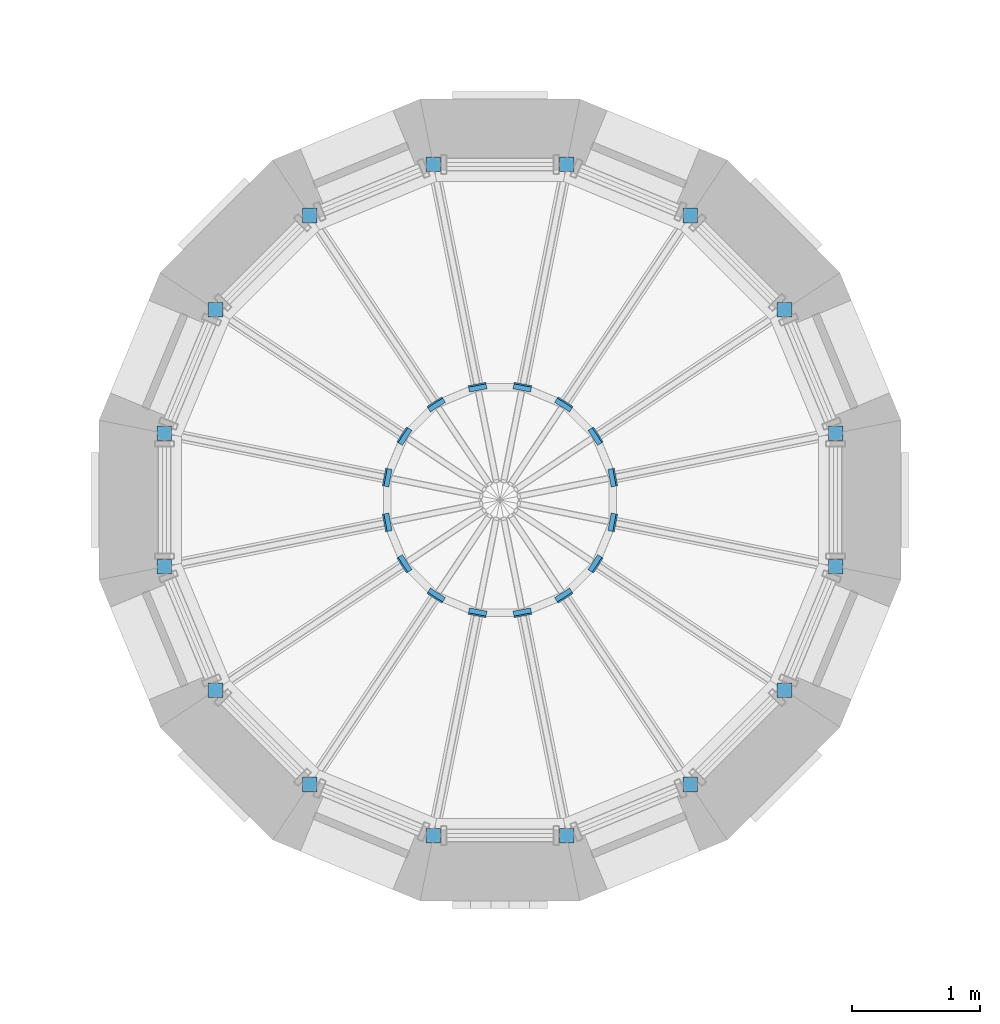
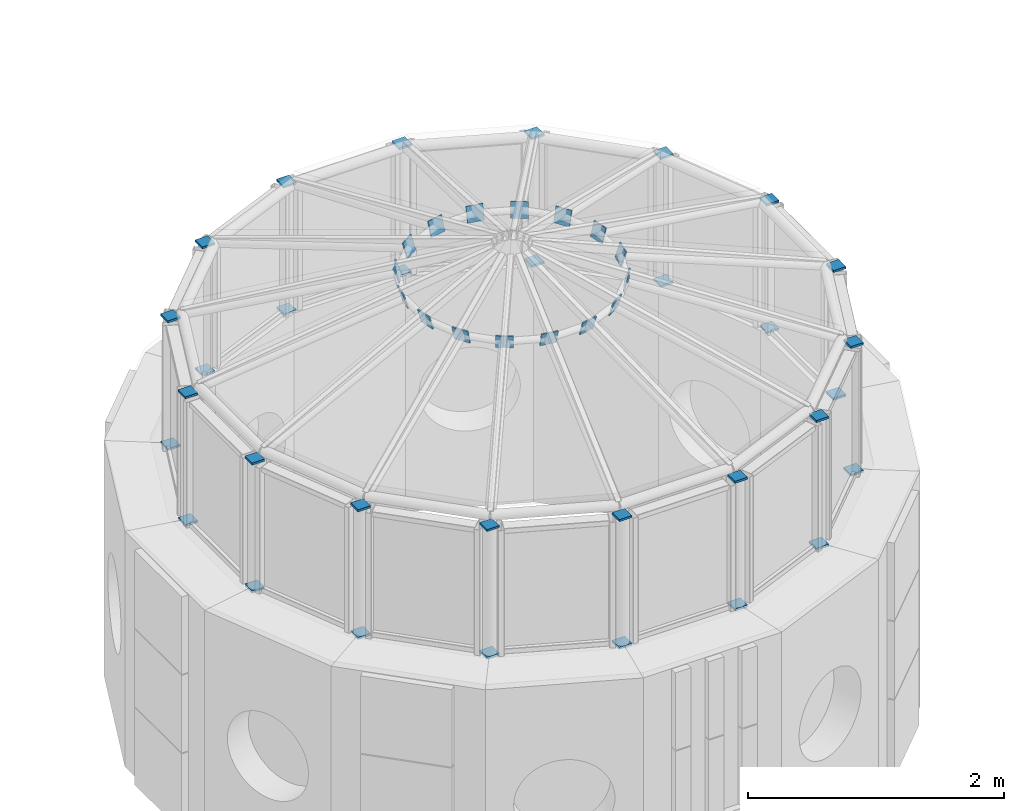
# One storey, part 33 of 42: 48 discrete accessories.
"""IFC4 building model written with IfcOpenShell, lengths in metres."""

from ifc_helpers import new_model, si_unit, direction, frame, origin, origin_2d, place, context, subcontext, project, spatial, rectangle, extrude, material, material_profile, profile_set, type_object, element, save


model = new_model("IFC4")

# Units and contexts
model_context = context("Model", 3, precision=1e-05, world=origin(), true_north=direction((0.0, 1.0)))
body_context = subcontext(model_context, "Body", "Model", "MODEL_VIEW")
ifc_project = project(units=[si_unit("LENGTHUNIT", "METRE"), si_unit("AREAUNIT", "SQUARE_METRE"), si_unit("VOLUMEUNIT", "CUBIC_METRE"), si_unit("PLANEANGLEUNIT", "RADIAN"), si_unit("MASSUNIT", "GRAM", prefix="KILO")], contexts=[model_context])

# Site, building, storey
site_placement = place(None, origin())
site = spatial("IfcSite", under=ifc_project, at=site_placement, CompositionType="ELEMENT")
building_placement = place(site_placement, origin())
building = spatial("IfcBuilding", under=site, at=building_placement, Name="Sun Court Science Centre", CompositionType="ELEMENT")
storey_placement = place(building_placement, frame((0.0, 0.0, 20.25)))
storey = spatial("IfcBuildingStorey", under=building, at=storey_placement, Name="L04", CompositionType="ELEMENT", Elevation=20.25)

# Discrete accessories
ifc_material_1 = material(Name="Steel S355", Category="steel")
discrete_accessory_type_1 = type_object("IfcDiscreteAccessoryType", Name="Hollow section end plate 20", PredefinedType="BRACKET", material=ifc_material_1)
for number, where, z_axis, x_axis, name in (
    (1, (56.626708984375, 12.0224609375, 1.929931640625), (0.0, 0.0, 1.0), (1.0, 0.0, 0.0), "Cone 5 clerestory post 1 end plate"),
    (2, (56.626708984375, 12.0224609375, 3.14990234375), (0.0, 0.0, 1.0), (1.0, 0.0, 0.0), "Cone 5 clerestory post 1 end plate"),
    (3, (56.226806640625, 12.988037109375, 1.929931640625), (0.0, 0.0, 1.0), (1.0, 0.0, 0.0), "Cone 5 clerestory post 2 end plate"),
    (4, (56.226806640625, 12.988037109375, 3.14990234375), (0.0, 0.0, 1.0), (1.0, 0.0, 0.0), "Cone 5 clerestory post 2 end plate"),
    (5, (55.488037109375, 13.726806640625, 1.929931640625), (0.0, 0.0, 1.0), (1.0, 0.0, 0.0), "Cone 5 clerestory post 3 end plate"),
    (6, (55.488037109375, 13.726806640625, 3.14990234375), (0.0, 0.0, 1.0), (1.0, 0.0, 0.0), "Cone 5 clerestory post 3 end plate"),
    (7, (54.5224609375, 14.126708984375, 1.929931640625), (0.0, 0.0, 1.0), (1.0, 0.0, 0.0), "Cone 5 clerestory post 4 end plate"),
    (8, (54.5224609375, 14.126708984375, 3.14990234375), (0.0, 0.0, 1.0), (1.0, 0.0, 0.0), "Cone 5 clerestory post 4 end plate"),
    (9, (53.4775390625, 14.126708984375, 1.929931640625), (0.0, 0.0, 1.0), (1.0, 0.0, 0.0), "Cone 5 clerestory post 5 end plate"),
    (10, (53.4775390625, 14.126708984375, 3.14990234375), (0.0, 0.0, 1.0), (1.0, 0.0, 0.0), "Cone 5 clerestory post 5 end plate"),
    (11, (52.511962890625, 13.726806640625, 1.929931640625), (0.0, 0.0, 1.0), (1.0, 0.0, 0.0), "Cone 5 clerestory post 6 end plate"),
    (12, (52.511962890625, 13.726806640625, 3.14990234375), (0.0, 0.0, 1.0), (1.0, 0.0, 0.0), "Cone 5 clerestory post 6 end plate"),
    (13, (51.773193359375, 12.988037109375, 1.929931640625), (0.0, 0.0, 1.0), (1.0, 0.0, 0.0), "Cone 5 clerestory post 7 end plate"),
    (14, (51.773193359375, 12.988037109375, 3.14990234375), (0.0, 0.0, 1.0), (1.0, 0.0, 0.0), "Cone 5 clerestory post 7 end plate"),
    (15, (51.373291015625, 12.0224609375, 1.929931640625), (0.0, 0.0, 1.0), (1.0, 0.0, 0.0), "Cone 5 clerestory post 8 end plate"),
    (16, (51.373291015625, 12.0224609375, 3.14990234375), (0.0, 0.0, 1.0), (1.0, 0.0, 0.0), "Cone 5 clerestory post 8 end plate"),
    (17, (51.373291015625, 10.9775390625, 1.929931640625), (0.0, 0.0, 1.0), (1.0, 0.0, 0.0), "Cone 5 clerestory post 9 end plate"),
    (18, (51.373291015625, 10.9775390625, 3.14990234375), (0.0, 0.0, 1.0), (1.0, 0.0, 0.0), "Cone 5 clerestory post 9 end plate"),
    (19, (51.773193359375, 10.011962890625, 1.929931640625), (0.0, 0.0, 1.0), (1.0, 0.0, 0.0), "Cone 5 clerestory post 10 end plate"),
    (20, (51.773193359375, 10.011962890625, 3.14990234375), (0.0, 0.0, 1.0), (1.0, 0.0, 0.0), "Cone 5 clerestory post 10 end plate"),
    (21, (52.511962890625, 9.273193359375, 1.929931640625), (0.0, 0.0, 1.0), (1.0, 0.0, 0.0), "Cone 5 clerestory post 11 end plate"),
    (22, (52.511962890625, 9.273193359375, 3.14990234375), (0.0, 0.0, 1.0), (1.0, 0.0, 0.0), "Cone 5 clerestory post 11 end plate"),
    (23, (53.4775390625, 8.873291015625, 1.929931640625), (0.0, 0.0, 1.0), (1.0, 0.0, 0.0), "Cone 5 clerestory post 12 end plate"),
    (24, (53.4775390625, 8.873291015625, 3.14990234375), (0.0, 0.0, 1.0), (1.0, 0.0, 0.0), "Cone 5 clerestory post 12 end plate"),
    (25, (54.5224609375, 8.873291015625, 1.929931640625), (0.0, 0.0, 1.0), (1.0, 0.0, 0.0), "Cone 5 clerestory post 13 end plate"),
    (26, (54.5224609375, 8.873291015625, 3.14990234375), (0.0, 0.0, 1.0), (1.0, 0.0, 0.0), "Cone 5 clerestory post 13 end plate"),
    (27, (55.488037109375, 9.273193359375, 1.929931640625), (0.0, 0.0, 1.0), (1.0, 0.0, 0.0), "Cone 5 clerestory post 14 end plate"),
    (28, (55.488037109375, 9.273193359375, 3.14990234375), (0.0, 0.0, 1.0), (1.0, 0.0, 0.0), "Cone 5 clerestory post 14 end plate"),
    (29, (56.226806640625, 10.011962890625, 1.929931640625), (0.0, 0.0, 1.0), (1.0, 0.0, 0.0), "Cone 5 clerestory post 15 end plate"),
    (30, (56.226806640625, 10.011962890625, 3.14990234375), (0.0, 0.0, 1.0), (1.0, 0.0, 0.0), "Cone 5 clerestory post 15 end plate"),
    (31, (56.626708984375, 10.9775390625, 1.929931640625), (0.0, 0.0, 1.0), (1.0, 0.0, 0.0), "Cone 5 clerestory post 16 end plate"),
    (32, (56.626708984375, 10.9775390625, 3.14990234375), (0.0, 0.0, 1.0), (1.0, 0.0, 0.0), "Cone 5 clerestory post 16 end plate"),
):
    element("IfcDiscreteAccessory", number, at=place(storey_placement, frame(where, z_axis=z_axis, x_axis=x_axis)), inside=storey, type_object=discrete_accessory_type_1, Name=name, PredefinedType="BRACKET", context=body_context, shape_type="SweptSolid", body=[
        extrude(rectangle(XDim=0.114013671875, YDim=0.114013671875, at=origin_2d()), origin(), (0.0, 0.0, 1.0), 0.02001953125),
    ])
ifc_material_2 = material(Name="Steel S355", Category="steel")
ifc_material_profile = material_profile(ifc_material_2, rectangle(XDim=0.139892578125, YDim=0.139892578125, at=origin_2d()), Name="PL 140x140")
ifc_profile_set = profile_set([ifc_material_profile], Name="Steel S355")
discrete_accessory_type_2 = type_object("IfcDiscreteAccessoryType", Name="Lantern node plate 140x140x12", PredefinedType="BRACKET", material=ifc_profile_set)
for number, where, z_axis, x_axis, name in (
    (33, (54.888427734375, 11.6767578125, 3.67041015625), (-0.942643106241, -0.180506126727, 0.280787308242), (0.188072270788, -0.982155191892, 0.0), "Lantern node plate 65"),
    (34, (54.753173828125, 12.003173828125, 3.67041015625), (-0.804517986709, -0.522936691361, 0.281581295348), (0.544988350595, -0.838443616301, 0.0), "Lantern node plate 66"),
    (35, (54.503173828125, 12.253173828125, 3.67041015625), (-0.522936691361, -0.804517986709, 0.281581295348), (0.838443616301, -0.544988350595, 0.0), "Lantern node plate 67"),
    (36, (54.1767578125, 12.388427734375, 3.67041015625), (-0.180506126727, -0.942643106241, 0.280787308242), (0.982155191892, -0.188072270788, 0.0), "Lantern node plate 68"),
    (37, (53.8232421875, 12.388427734375, 3.67041015625), (0.180506126727, -0.942643106241, 0.280787308242), (0.982155191892, 0.188072270788, 0.0), "Lantern node plate 69"),
    (38, (53.496826171875, 12.253173828125, 3.67041015625), (0.522936691361, -0.804517986709, 0.281581295348), (0.838443616301, 0.544988350595, 0.0), "Lantern node plate 70"),
    (39, (53.246826171875, 12.003173828125, 3.67041015625), (0.804517986709, -0.522936691361, 0.281581295348), (0.544988350595, 0.838443616301, 0.0), "Lantern node plate 71"),
    (40, (53.111572265625, 11.6767578125, 3.67041015625), (0.942643106241, -0.180506126727, 0.280787308242), (0.188072270788, 0.982155191892, 0.0), "Lantern node plate 72"),
    (41, (53.111572265625, 11.3232421875, 3.67041015625), (0.942643106241, 0.180506126727, 0.280787308242), (-0.188072270788, 0.982155191892, 0.0), "Lantern node plate 73"),
    (42, (53.246826171875, 10.996826171875, 3.67041015625), (0.804517986709, 0.522936691361, 0.281581295348), (-0.544988350595, 0.838443616301, 0.0), "Lantern node plate 74"),
    (43, (53.496826171875, 10.746826171875, 3.67041015625), (0.522936691361, 0.804517986709, 0.281581295348), (-0.838443616301, 0.544988350595, 0.0), "Lantern node plate 75"),
    (44, (53.8232421875, 10.611572265625, 3.67041015625), (0.180506126727, 0.942643106241, 0.280787308242), (-0.982155191892, 0.188072270788, 0.0), "Lantern node plate 76"),
    (45, (54.1767578125, 10.611572265625, 3.67041015625), (-0.180506126727, 0.942643106241, 0.280787308242), (-0.982155191892, -0.188072270788, 0.0), "Lantern node plate 77"),
    (46, (54.503173828125, 10.746826171875, 3.67041015625), (-0.522936691361, 0.804517986709, 0.281581295348), (-0.838443616301, -0.544988350595, 0.0), "Lantern node plate 78"),
    (47, (54.753173828125, 10.996826171875, 3.67041015625), (-0.804517986709, 0.522936691361, 0.281581295348), (-0.544988350595, -0.838443616301, 0.0), "Lantern node plate 79"),
    (48, (54.888427734375, 11.3232421875, 3.67041015625), (-0.942643106241, 0.180506126727, 0.280787308242), (-0.188072270788, -0.982155191892, 0.0), "Lantern node plate 80"),
):
    element("IfcDiscreteAccessory", number, at=place(storey_placement, frame(where, z_axis=z_axis, x_axis=x_axis)), inside=storey, type_object=discrete_accessory_type_2, Name=name, PredefinedType="BRACKET", context=body_context, shape_type="SweptSolid", body=[
        extrude(rectangle(XDim=0.139892578125, YDim=0.139892578125, at=origin_2d()), origin(), (0.0, 0.0, 1.0), 0.01220703125),
    ])

save(model, "model.ifc")
